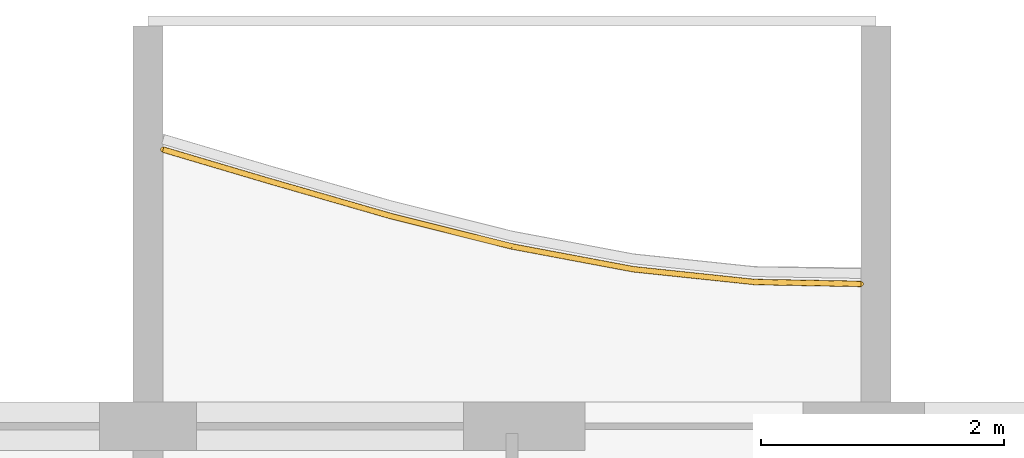
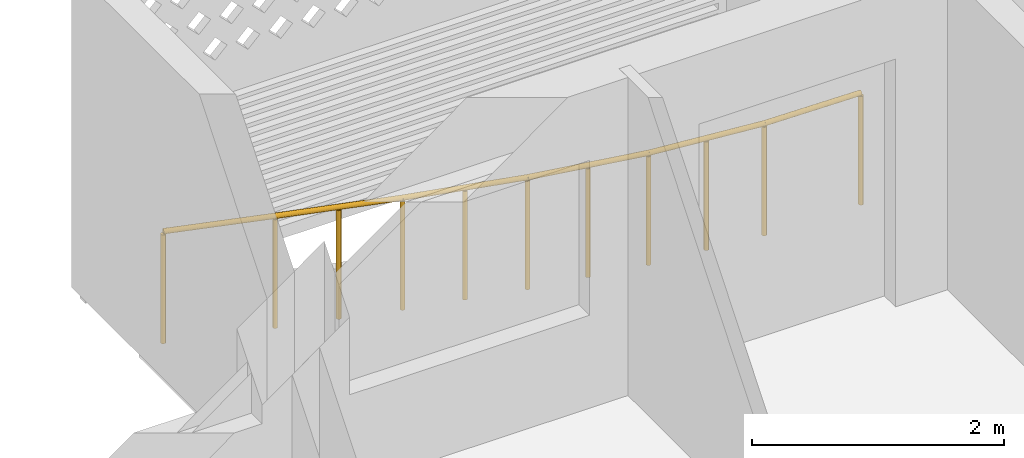
# One storey, part 19 of 26: 1 railing.
"""IFC4 building model written with IfcOpenShell, lengths in metres."""

from ifc_helpers import new_model, si_unit, direction, frame, origin, origin_2d, place, context, subcontext, project, spatial, circle, extrude, material, type_object, element, save


model = new_model("IFC4")

# Units and contexts
model_context = context("Model", 3, precision=1e-05, world=origin(), true_north=direction((0.0, 1.0)))
body_context = subcontext(model_context, "Body", "Model", "MODEL_VIEW")
ifc_project = project(units=[si_unit("LENGTHUNIT", "METRE"), si_unit("AREAUNIT", "SQUARE_METRE"), si_unit("VOLUMEUNIT", "CUBIC_METRE"), si_unit("PLANEANGLEUNIT", "RADIAN"), si_unit("MASSUNIT", "GRAM", prefix="KILO")], contexts=[model_context])

# Site, building, storey
site_placement = place(None, origin())
site = spatial("IfcSite", under=ifc_project, at=site_placement, CompositionType="ELEMENT")
building_placement = place(site_placement, origin())
building = spatial("IfcBuilding", under=site, at=building_placement, Name="Poui Terraces", CompositionType="ELEMENT")
storey_placement = place(building_placement, frame((0.0, 0.0, 221.39990234375)))
storey = spatial("IfcBuildingStorey", under=building, at=storey_placement, Name="L61", CompositionType="ELEMENT", Elevation=221.39990234375)

# Railing
ifc_material = material(Name="Painted steel fretwork", Category="steel")
railing_type = type_object("IfcRailingType", Name="BALCONY GUARD 1100", PredefinedType="GUARDRAIL", material=ifc_material)
railing_placement = place(storey_placement, frame((48.125, 43.47998046875, 0.0)))
element("IfcRailing", 1, at=railing_placement, inside=storey, type_object=railing_type, Name="BALCONY GUARD", PredefinedType="GUARDRAIL", context=body_context, shape_type="SweptSolid", body=[
    extrude(circle(Radius=0.02392578125, at=origin_2d()), frame((0.0, 0.0, 1.076171875), z_axis=(0.9587927149, -0.284106546658, 0.0), x_axis=(0.284106546658, 0.9587927149, 0.0)), (0.0, 0.0, 1.0), 0.91259765625),
    extrude(circle(Radius=0.02392578125, at=origin_2d()), frame((0.875, -0.25927734375, 1.076171875), z_axis=(0.960857222001, -0.277044037887, 0.0), x_axis=(0.277044037887, 0.960857222001, 0.0)), (0.0, 0.0, 1.0), 1.040771484375),
    extrude(circle(Radius=0.02392578125, at=origin_2d()), frame((1.875, -0.547607421875, 1.076171875), z_axis=(0.969975109493, -0.243204208362, 0.0), x_axis=(0.243204208362, 0.969975109493, 0.0)), (0.0, 0.0, 1.0), 1.031005859375),
    extrude(circle(Radius=0.02392578125, at=origin_2d()), frame((2.875, -0.79833984375, 1.076171875), z_axis=(0.982828697247, -0.184520329146, 0.0), x_axis=(0.184520329146, 0.982828697247, 0.0)), (0.0, 0.0, 1.0), 1.017578125),
    extrude(circle(Radius=0.02392578125, at=origin_2d()), frame((3.875, -0.986083984375, 1.076171875), z_axis=(0.994509443434, -0.104646867705, 0.0), x_axis=(0.104646867705, 0.994509443434, 0.0)), (0.0, 0.0, 1.0), 1.005615234375),
    extrude(circle(Radius=0.02392578125, at=origin_2d()), frame((4.875, -1.09130859375, 1.076171875), z_axis=(0.999840599345, -0.017854296417, 0.0), x_axis=(0.017854296417, 0.999840599345, 0.0)), (0.0, 0.0, 1.0), 0.875244140625),
    extrude(circle(Radius=0.02099609375, at=origin_2d()), origin(), (0.0, 0.0, 1.0), 1.052001953125),
    extrude(circle(Radius=0.02099609375, at=origin_2d()), frame((0.875, -0.25927734375, 0.0)), (0.0, 0.0, 1.0), 1.052001953125),
    extrude(circle(Radius=0.02099609375, at=origin_2d()), frame((1.375, -0.4033203125, 0.0)), (0.0, 0.0, 1.0), 1.052001953125),
    extrude(circle(Radius=0.02099609375, at=origin_2d()), frame((1.875, -0.547607421875, 0.0)), (0.0, 0.0, 1.0), 1.052001953125),
    extrude(circle(Radius=0.02099609375, at=origin_2d()), frame((2.375, -0.6728515625, 0.0)), (0.0, 0.0, 1.0), 1.052001953125),
    extrude(circle(Radius=0.02099609375, at=origin_2d()), frame((2.875, -0.79833984375, 0.0)), (0.0, 0.0, 1.0), 1.052001953125),
    extrude(circle(Radius=0.02099609375, at=origin_2d()), frame((3.375, -0.89208984375, 0.0)), (0.0, 0.0, 1.0), 1.052001953125),
    extrude(circle(Radius=0.02099609375, at=origin_2d()), frame((3.875, -0.986083984375, 0.0)), (0.0, 0.0, 1.0), 1.052001953125),
    extrude(circle(Radius=0.02099609375, at=origin_2d()), frame((4.375, -1.03857421875, 0.0)), (0.0, 0.0, 1.0), 1.052001953125),
    extrude(circle(Radius=0.02099609375, at=origin_2d()), frame((4.875, -1.09130859375, 0.0)), (0.0, 0.0, 1.0), 1.052001953125),
    extrude(circle(Radius=0.02099609375, at=origin_2d()), frame((5.75, -1.10693359375, 0.0)), (0.0, 0.0, 1.0), 1.052001953125),
])

save(model, "model.ifc")
